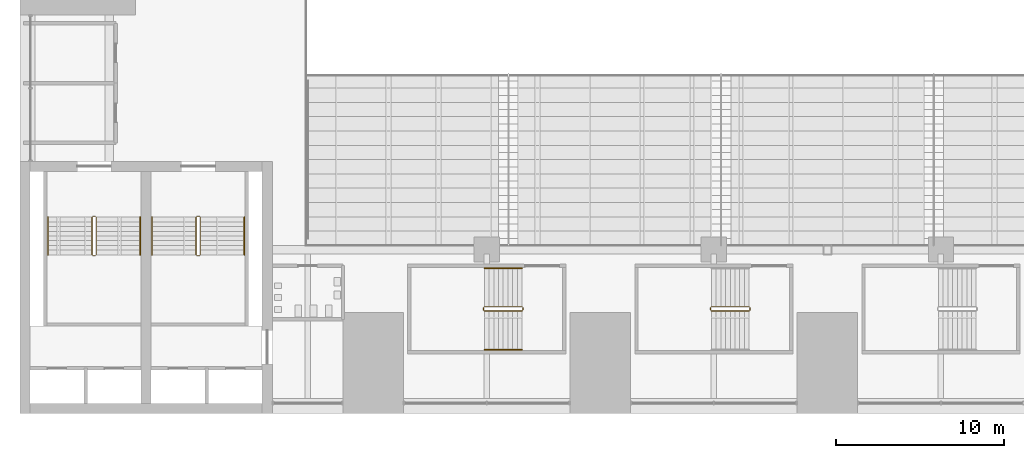
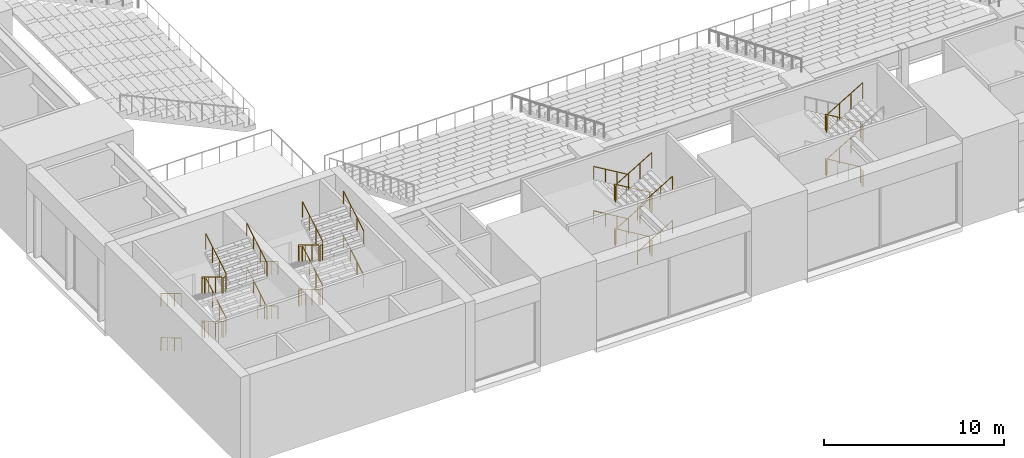
# One storey, part 51 of 61: 7 railings.
"""IFC4 building model written with IfcOpenShell, lengths in metres."""

from ifc_helpers import new_model, si_unit, direction, frame, origin, origin_2d, place, context, subcontext, project, spatial, circle, extrude, material, type_object, element, save


model = new_model("IFC4")

# Units and contexts
model_context = context("Model", 3, precision=1e-05, world=origin(), true_north=direction((0.0, 1.0)))
body_context = subcontext(model_context, "Body", "Model", "MODEL_VIEW")
ifc_project = project(units=[si_unit("LENGTHUNIT", "METRE"), si_unit("AREAUNIT", "SQUARE_METRE"), si_unit("VOLUMEUNIT", "CUBIC_METRE"), si_unit("PLANEANGLEUNIT", "RADIAN"), si_unit("MASSUNIT", "GRAM", prefix="KILO")], contexts=[model_context])

# Site, building, storey
site_placement = place(None, origin())
site = spatial("IfcSite", under=ifc_project, at=site_placement, CompositionType="ELEMENT")
building_placement = place(site_placement, origin())
building = spatial("IfcBuilding", under=site, at=building_placement, Name="Corbelhall Arena Tower", CompositionType="ELEMENT")
storey_placement = place(building_placement, frame((0.0, 0.0, 31.0)))
storey = spatial("IfcBuildingStorey", under=building, at=storey_placement, Name="L04", CompositionType="ELEMENT", Elevation=31.0)

# Railings
ifc_material = material(Name="Stainless steel A4", Category="steel")
railing_type_1 = type_object("IfcRailingType", Name="AR-STAIR-GUARD", PredefinedType="GUARDRAIL", material=ifc_material)
railing_1_placement = place(storey_placement, frame((-18.14990234375, -32.64990234375, 0.166748046875)))
element("IfcRailing", 1, at=railing_1_placement, inside=storey, type_object=railing_type_1, Name="L04 AS13 stair guards", PredefinedType="GUARDRAIL", context=body_context, shape_type="SweptSolid", body=[
    extrude(circle(Radius=0.02392578125, at=origin_2d()), frame((0.0, 0.0, 1.076171875), z_axis=(-0.859305625298, 0.0, 0.511462454469), x_axis=(0.0, -1.0, 0.0)), (0.0, 0.0, 1.0), 2.606689453125),
    extrude(circle(Radius=0.02392578125, at=origin_2d()), frame((-2.2900390625, -0.050048828125, 2.4091796875), z_axis=(0.0, -1.0, 0.0), x_axis=(1.0, 0.0, 0.0)), (0.0, 0.0, 1.0), 0.150146484375),
    extrude(circle(Radius=0.02392578125, at=origin_2d()), frame((-2.239990234375, -0.25, 2.576171875), z_axis=(0.859305625298, 0.0, 0.511462454469), x_axis=(0.0, 1.0, 0.0)), (0.0, 0.0, 1.0), 2.606689453125),
    extrude(circle(Radius=0.02392578125, at=origin_2d()), frame((0.0498046875, -0.050048828125, 3.9091796875), z_axis=(0.0, -1.0, 0.0), x_axis=(1.0, 0.0, 0.0)), (0.0, 0.0, 1.0), 0.150146484375),
    extrude(circle(Radius=0.02392578125, at=origin_2d()), frame((0.0, 0.0, 4.076171875), z_axis=(-0.859305625298, 0.0, 0.511462454469), x_axis=(0.0, -1.0, 0.0)), (0.0, 0.0, 1.0), 2.606689453125),
    extrude(circle(Radius=0.02392578125, at=origin_2d()), frame((-2.2900390625, -0.050048828125, 5.4091796875), z_axis=(0.0, -1.0, 0.0), x_axis=(1.0, 0.0, 0.0)), (0.0, 0.0, 1.0), 0.150146484375),
    extrude(circle(Radius=0.02392578125, at=origin_2d()), frame((-2.239990234375, -0.25, 5.576171875), z_axis=(0.859305625298, 0.0, 0.511462454469), x_axis=(0.0, 1.0, 0.0)), (0.0, 0.0, 1.0), 2.606689453125),
    extrude(circle(Radius=0.02392578125, at=origin_2d()), frame((0.0498046875, -0.050048828125, 0.9091796875), z_axis=(0.0, -1.0, 0.0), x_axis=(1.0, 0.0, 0.0)), (0.0, 0.0, 1.0), 0.150146484375),
    extrude(circle(Radius=0.02099609375, at=origin_2d()), origin(), (0.0, 0.0, 1.0), 1.052001953125),
    extrude(circle(Radius=0.02099609375, at=origin_2d()), frame((-0.74658203125, 0.0, 0.4443359375)), (0.0, 0.0, 1.0), 1.052001953125),
    extrude(circle(Radius=0.02099609375, at=origin_2d()), frame((-1.493408203125, 0.0, 0.888916015625)), (0.0, 0.0, 1.0), 1.052001953125),
    extrude(circle(Radius=0.02099609375, at=origin_2d()), frame((-2.239990234375, 0.0, 1.333251953125)), (0.0, 0.0, 1.0), 1.052001953125),
    extrude(circle(Radius=0.02099609375, at=origin_2d()), frame((-2.2900390625, -0.050048828125, 1.333251953125)), (0.0, 0.0, 1.0), 1.052001953125),
    extrude(circle(Radius=0.02099609375, at=origin_2d()), frame((-2.2900390625, -0.2001953125, 1.333251953125)), (0.0, 0.0, 1.0), 1.052001953125),
    extrude(circle(Radius=0.02099609375, at=origin_2d()), frame((-2.239990234375, -0.25, 1.5)), (0.0, 0.0, 1.0), 1.052001953125),
    extrude(circle(Radius=0.02099609375, at=origin_2d()), frame((-1.493408203125, -0.25, 1.9443359375)), (0.0, 0.0, 1.0), 1.052001953125),
    extrude(circle(Radius=0.02099609375, at=origin_2d()), frame((-0.74658203125, -0.25, 2.388916015625)), (0.0, 0.0, 1.0), 1.052001953125),
    extrude(circle(Radius=0.02099609375, at=origin_2d()), frame((0.0, -0.25, 2.833251953125)), (0.0, 0.0, 1.0), 1.052001953125),
    extrude(circle(Radius=0.02099609375, at=origin_2d()), frame((0.0498046875, -0.050048828125, 2.833251953125)), (0.0, 0.0, 1.0), 1.052001953125),
    extrude(circle(Radius=0.02099609375, at=origin_2d()), frame((0.0498046875, -0.2001953125, 2.833251953125)), (0.0, 0.0, 1.0), 1.052001953125),
    extrude(circle(Radius=0.02099609375, at=origin_2d()), frame((0.0, 0.0, 3.0)), (0.0, 0.0, 1.0), 1.052001953125),
    extrude(circle(Radius=0.02099609375, at=origin_2d()), frame((-0.74658203125, 0.0, 3.4443359375)), (0.0, 0.0, 1.0), 1.052001953125),
    extrude(circle(Radius=0.02099609375, at=origin_2d()), frame((-1.493408203125, 0.0, 3.888916015625)), (0.0, 0.0, 1.0), 1.052001953125),
    extrude(circle(Radius=0.02099609375, at=origin_2d()), frame((-2.239990234375, 0.0, 4.333251953125)), (0.0, 0.0, 1.0), 1.052001953125),
    extrude(circle(Radius=0.02099609375, at=origin_2d()), frame((-2.2900390625, -0.050048828125, 4.333251953125)), (0.0, 0.0, 1.0), 1.052001953125),
    extrude(circle(Radius=0.02099609375, at=origin_2d()), frame((-2.2900390625, -0.2001953125, 4.333251953125)), (0.0, 0.0, 1.0), 1.052001953125),
    extrude(circle(Radius=0.02099609375, at=origin_2d()), frame((-2.239990234375, -0.25, 4.5)), (0.0, 0.0, 1.0), 1.052001953125),
    extrude(circle(Radius=0.02099609375, at=origin_2d()), frame((-1.493408203125, -0.25, 4.9443359375)), (0.0, 0.0, 1.0), 1.052001953125),
    extrude(circle(Radius=0.02099609375, at=origin_2d()), frame((-0.74658203125, -0.25, 5.388916015625)), (0.0, 0.0, 1.0), 1.052001953125),
    extrude(circle(Radius=0.02099609375, at=origin_2d()), frame((0.0, -0.25, 5.833251953125)), (0.0, 0.0, 1.0), 1.052001953125),
    extrude(circle(Radius=0.02099609375, at=origin_2d()), frame((0.0498046875, -0.050048828125, -0.166748046875)), (0.0, 0.0, 1.0), 1.052001953125),
    extrude(circle(Radius=0.02099609375, at=origin_2d()), frame((0.0498046875, -0.2001953125, -0.166748046875)), (0.0, 0.0, 1.0), 1.052001953125),
])
railing_2_placement = place(storey_placement, frame((-4.64990234375, -32.64990234375, 0.166748046875)))
element("IfcRailing", 2, at=railing_2_placement, inside=storey, type_object=railing_type_1, Name="L04 AS14 stair guards", PredefinedType="GUARDRAIL", context=body_context, shape_type="SweptSolid", body=[
    extrude(circle(Radius=0.02392578125, at=origin_2d()), frame((0.0, 0.0, 1.076171875), z_axis=(-0.859305625298, 0.0, 0.511462454469), x_axis=(0.0, -1.0, 0.0)), (0.0, 0.0, 1.0), 2.606689453125),
    extrude(circle(Radius=0.02392578125, at=origin_2d()), frame((-2.2900390625, -0.050048828125, 2.4091796875), z_axis=(0.0, -1.0, 0.0), x_axis=(1.0, 0.0, 0.0)), (0.0, 0.0, 1.0), 0.150146484375),
    extrude(circle(Radius=0.02392578125, at=origin_2d()), frame((-2.239990234375, -0.25, 2.576171875), z_axis=(0.859305625298, 0.0, 0.511462454469), x_axis=(0.0, 1.0, 0.0)), (0.0, 0.0, 1.0), 2.606689453125),
    extrude(circle(Radius=0.02392578125, at=origin_2d()), frame((0.0498046875, -0.050048828125, 3.9091796875), z_axis=(0.0, -1.0, 0.0), x_axis=(1.0, 0.0, 0.0)), (0.0, 0.0, 1.0), 0.150146484375),
    extrude(circle(Radius=0.02392578125, at=origin_2d()), frame((0.0, 0.0, 4.076171875), z_axis=(-0.859305625298, 0.0, 0.511462454469), x_axis=(0.0, -1.0, 0.0)), (0.0, 0.0, 1.0), 2.606689453125),
    extrude(circle(Radius=0.02392578125, at=origin_2d()), frame((-2.2900390625, -0.050048828125, 5.4091796875), z_axis=(0.0, -1.0, 0.0), x_axis=(1.0, 0.0, 0.0)), (0.0, 0.0, 1.0), 0.150146484375),
    extrude(circle(Radius=0.02392578125, at=origin_2d()), frame((-2.239990234375, -0.25, 5.576171875), z_axis=(0.859305625298, 0.0, 0.511462454469), x_axis=(0.0, 1.0, 0.0)), (0.0, 0.0, 1.0), 2.606689453125),
    extrude(circle(Radius=0.02392578125, at=origin_2d()), frame((0.0498046875, -0.050048828125, 0.9091796875), z_axis=(0.0, -1.0, 0.0), x_axis=(1.0, 0.0, 0.0)), (0.0, 0.0, 1.0), 0.150146484375),
    extrude(circle(Radius=0.02099609375, at=origin_2d()), origin(), (0.0, 0.0, 1.0), 1.052001953125),
    extrude(circle(Radius=0.02099609375, at=origin_2d()), frame((-0.74658203125, 0.0, 0.4443359375)), (0.0, 0.0, 1.0), 1.052001953125),
    extrude(circle(Radius=0.02099609375, at=origin_2d()), frame((-1.493408203125, 0.0, 0.888916015625)), (0.0, 0.0, 1.0), 1.052001953125),
    extrude(circle(Radius=0.02099609375, at=origin_2d()), frame((-2.239990234375, 0.0, 1.333251953125)), (0.0, 0.0, 1.0), 1.052001953125),
    extrude(circle(Radius=0.02099609375, at=origin_2d()), frame((-2.2900390625, -0.050048828125, 1.333251953125)), (0.0, 0.0, 1.0), 1.052001953125),
    extrude(circle(Radius=0.02099609375, at=origin_2d()), frame((-2.2900390625, -0.2001953125, 1.333251953125)), (0.0, 0.0, 1.0), 1.052001953125),
    extrude(circle(Radius=0.02099609375, at=origin_2d()), frame((-2.239990234375, -0.25, 1.5)), (0.0, 0.0, 1.0), 1.052001953125),
    extrude(circle(Radius=0.02099609375, at=origin_2d()), frame((-1.493408203125, -0.25, 1.9443359375)), (0.0, 0.0, 1.0), 1.052001953125),
    extrude(circle(Radius=0.02099609375, at=origin_2d()), frame((-0.74658203125, -0.25, 2.388916015625)), (0.0, 0.0, 1.0), 1.052001953125),
    extrude(circle(Radius=0.02099609375, at=origin_2d()), frame((0.0, -0.25, 2.833251953125)), (0.0, 0.0, 1.0), 1.052001953125),
    extrude(circle(Radius=0.02099609375, at=origin_2d()), frame((0.0498046875, -0.050048828125, 2.833251953125)), (0.0, 0.0, 1.0), 1.052001953125),
    extrude(circle(Radius=0.02099609375, at=origin_2d()), frame((0.0498046875, -0.2001953125, 2.833251953125)), (0.0, 0.0, 1.0), 1.052001953125),
    extrude(circle(Radius=0.02099609375, at=origin_2d()), frame((0.0, 0.0, 3.0)), (0.0, 0.0, 1.0), 1.052001953125),
    extrude(circle(Radius=0.02099609375, at=origin_2d()), frame((-0.74658203125, 0.0, 3.4443359375)), (0.0, 0.0, 1.0), 1.052001953125),
    extrude(circle(Radius=0.02099609375, at=origin_2d()), frame((-1.493408203125, 0.0, 3.888916015625)), (0.0, 0.0, 1.0), 1.052001953125),
    extrude(circle(Radius=0.02099609375, at=origin_2d()), frame((-2.239990234375, 0.0, 4.333251953125)), (0.0, 0.0, 1.0), 1.052001953125),
    extrude(circle(Radius=0.02099609375, at=origin_2d()), frame((-2.2900390625, -0.050048828125, 4.333251953125)), (0.0, 0.0, 1.0), 1.052001953125),
    extrude(circle(Radius=0.02099609375, at=origin_2d()), frame((-2.2900390625, -0.2001953125, 4.333251953125)), (0.0, 0.0, 1.0), 1.052001953125),
    extrude(circle(Radius=0.02099609375, at=origin_2d()), frame((-2.239990234375, -0.25, 4.5)), (0.0, 0.0, 1.0), 1.052001953125),
    extrude(circle(Radius=0.02099609375, at=origin_2d()), frame((-1.493408203125, -0.25, 4.9443359375)), (0.0, 0.0, 1.0), 1.052001953125),
    extrude(circle(Radius=0.02099609375, at=origin_2d()), frame((-0.74658203125, -0.25, 5.388916015625)), (0.0, 0.0, 1.0), 1.052001953125),
    extrude(circle(Radius=0.02099609375, at=origin_2d()), frame((0.0, -0.25, 5.833251953125)), (0.0, 0.0, 1.0), 1.052001953125),
    extrude(circle(Radius=0.02099609375, at=origin_2d()), frame((0.0498046875, -0.050048828125, -0.166748046875)), (0.0, 0.0, 1.0), 1.052001953125),
    extrude(circle(Radius=0.02099609375, at=origin_2d()), frame((0.0498046875, -0.2001953125, -0.166748046875)), (0.0, 0.0, 1.0), 1.052001953125),
])
railing_3_placement = place(storey_placement, frame((-37.530029296875, -27.320068359375, 0.166748046875)))
element("IfcRailing", 3, at=railing_3_placement, inside=storey, type_object=railing_type_1, Name="L04 AS7 stair guards", PredefinedType="GUARDRAIL", context=body_context, shape_type="SweptSolid", body=[
    extrude(circle(Radius=0.02392578125, at=origin_2d()), frame((0.0, 0.0, 1.076171875), z_axis=(0.0, -0.859305625298, 0.511462454469), x_axis=(1.0, 0.0, 0.0)), (0.0, 0.0, 1.0), 2.606689453125),
    extrude(circle(Radius=0.02392578125, at=origin_2d()), frame((0.050048828125, -2.2900390625, 2.4091796875), z_axis=(1.0, 0.0, 0.0), x_axis=(0.0, 1.0, 0.0)), (0.0, 0.0, 1.0), 0.14990234375),
    extrude(circle(Radius=0.02392578125, at=origin_2d()), frame((0.25, -2.239990234375, 2.576171875), z_axis=(0.0, 0.859305625298, 0.511462454469), x_axis=(-1.0, 0.0, 0.0)), (0.0, 0.0, 1.0), 2.606689453125),
    extrude(circle(Radius=0.02392578125, at=origin_2d()), frame((0.050048828125, 0.050048828125, 3.9091796875), z_axis=(1.0, 0.0, 0.0), x_axis=(0.0, 1.0, 0.0)), (0.0, 0.0, 1.0), 0.14990234375),
    extrude(circle(Radius=0.02392578125, at=origin_2d()), frame((0.0, 0.0, 4.076171875), z_axis=(0.0, -0.859305625298, 0.511462454469), x_axis=(1.0, 0.0, 0.0)), (0.0, 0.0, 1.0), 2.606689453125),
    extrude(circle(Radius=0.02392578125, at=origin_2d()), frame((0.050048828125, -2.2900390625, 5.4091796875), z_axis=(1.0, 0.0, 0.0), x_axis=(0.0, 1.0, 0.0)), (0.0, 0.0, 1.0), 0.14990234375),
    extrude(circle(Radius=0.02392578125, at=origin_2d()), frame((0.25, -2.239990234375, 5.576171875), z_axis=(0.0, 0.859305625298, 0.511462454469), x_axis=(-1.0, 0.0, 0.0)), (0.0, 0.0, 1.0), 2.606689453125),
    extrude(circle(Radius=0.02392578125, at=origin_2d()), frame((0.050048828125, 0.050048828125, 0.9091796875), z_axis=(1.0, 0.0, 0.0), x_axis=(0.0, 1.0, 0.0)), (0.0, 0.0, 1.0), 0.14990234375),
    extrude(circle(Radius=0.02099609375, at=origin_2d()), origin(), (0.0, 0.0, 1.0), 1.052001953125),
    extrude(circle(Radius=0.02099609375, at=origin_2d()), frame((0.0, -0.74658203125, 0.4443359375)), (0.0, 0.0, 1.0), 1.052001953125),
    extrude(circle(Radius=0.02099609375, at=origin_2d()), frame((0.0, -1.493408203125, 0.888916015625)), (0.0, 0.0, 1.0), 1.052001953125),
    extrude(circle(Radius=0.02099609375, at=origin_2d()), frame((0.0, -2.239990234375, 1.333251953125)), (0.0, 0.0, 1.0), 1.052001953125),
    extrude(circle(Radius=0.02099609375, at=origin_2d()), frame((0.050048828125, -2.2900390625, 1.333251953125)), (0.0, 0.0, 1.0), 1.052001953125),
    extrude(circle(Radius=0.02099609375, at=origin_2d()), frame((0.199951171875, -2.2900390625, 1.333251953125)), (0.0, 0.0, 1.0), 1.052001953125),
    extrude(circle(Radius=0.02099609375, at=origin_2d()), frame((0.25, -2.239990234375, 1.5)), (0.0, 0.0, 1.0), 1.052001953125),
    extrude(circle(Radius=0.02099609375, at=origin_2d()), frame((0.25, -1.493408203125, 1.9443359375)), (0.0, 0.0, 1.0), 1.052001953125),
    extrude(circle(Radius=0.02099609375, at=origin_2d()), frame((0.25, -0.74658203125, 2.388916015625)), (0.0, 0.0, 1.0), 1.052001953125),
    extrude(circle(Radius=0.02099609375, at=origin_2d()), frame((0.25, 0.0, 2.833251953125)), (0.0, 0.0, 1.0), 1.052001953125),
    extrude(circle(Radius=0.02099609375, at=origin_2d()), frame((0.050048828125, 0.050048828125, 2.833251953125)), (0.0, 0.0, 1.0), 1.052001953125),
    extrude(circle(Radius=0.02099609375, at=origin_2d()), frame((0.199951171875, 0.050048828125, 2.833251953125)), (0.0, 0.0, 1.0), 1.052001953125),
    extrude(circle(Radius=0.02099609375, at=origin_2d()), frame((0.0, 0.0, 3.0)), (0.0, 0.0, 1.0), 1.052001953125),
    extrude(circle(Radius=0.02099609375, at=origin_2d()), frame((0.0, -0.74658203125, 3.4443359375)), (0.0, 0.0, 1.0), 1.052001953125),
    extrude(circle(Radius=0.02099609375, at=origin_2d()), frame((0.0, -1.493408203125, 3.888916015625)), (0.0, 0.0, 1.0), 1.052001953125),
    extrude(circle(Radius=0.02099609375, at=origin_2d()), frame((0.0, -2.239990234375, 4.333251953125)), (0.0, 0.0, 1.0), 1.052001953125),
    extrude(circle(Radius=0.02099609375, at=origin_2d()), frame((0.050048828125, -2.2900390625, 4.333251953125)), (0.0, 0.0, 1.0), 1.052001953125),
    extrude(circle(Radius=0.02099609375, at=origin_2d()), frame((0.199951171875, -2.2900390625, 4.333251953125)), (0.0, 0.0, 1.0), 1.052001953125),
    extrude(circle(Radius=0.02099609375, at=origin_2d()), frame((0.25, -2.239990234375, 4.5)), (0.0, 0.0, 1.0), 1.052001953125),
    extrude(circle(Radius=0.02099609375, at=origin_2d()), frame((0.25, -1.493408203125, 4.9443359375)), (0.0, 0.0, 1.0), 1.052001953125),
    extrude(circle(Radius=0.02099609375, at=origin_2d()), frame((0.25, -0.74658203125, 5.388916015625)), (0.0, 0.0, 1.0), 1.052001953125),
    extrude(circle(Radius=0.02099609375, at=origin_2d()), frame((0.25, 0.0, 5.833251953125)), (0.0, 0.0, 1.0), 1.052001953125),
    extrude(circle(Radius=0.02099609375, at=origin_2d()), frame((0.050048828125, 0.050048828125, -0.166748046875)), (0.0, 0.0, 1.0), 1.052001953125),
    extrude(circle(Radius=0.02099609375, at=origin_2d()), frame((0.199951171875, 0.050048828125, -0.166748046875)), (0.0, 0.0, 1.0), 1.052001953125),
])
railing_4_placement = place(storey_placement, frame((-43.719970703125, -27.320068359375, 0.166748046875)))
element("IfcRailing", 4, at=railing_4_placement, inside=storey, type_object=railing_type_1, Name="L04 AS8 stair guards", PredefinedType="GUARDRAIL", context=body_context, shape_type="SweptSolid", body=[
    extrude(circle(Radius=0.02392578125, at=origin_2d()), frame((0.0, 0.0, 1.076171875), z_axis=(0.0, -0.859305625298, 0.511462454469), x_axis=(1.0, 0.0, 0.0)), (0.0, 0.0, 1.0), 2.606689453125),
    extrude(circle(Radius=0.02392578125, at=origin_2d()), frame((0.050048828125, -2.2900390625, 2.4091796875), z_axis=(1.0, 0.0, 0.0), x_axis=(0.0, 1.0, 0.0)), (0.0, 0.0, 1.0), 0.14990234375),
    extrude(circle(Radius=0.02392578125, at=origin_2d()), frame((0.25, -2.239990234375, 2.576171875), z_axis=(0.0, 0.859305625298, 0.511462454469), x_axis=(-1.0, 0.0, 0.0)), (0.0, 0.0, 1.0), 2.606689453125),
    extrude(circle(Radius=0.02392578125, at=origin_2d()), frame((0.050048828125, 0.050048828125, 3.9091796875), z_axis=(1.0, 0.0, 0.0), x_axis=(0.0, 1.0, 0.0)), (0.0, 0.0, 1.0), 0.14990234375),
    extrude(circle(Radius=0.02392578125, at=origin_2d()), frame((0.0, 0.0, 4.076171875), z_axis=(0.0, -0.859305625298, 0.511462454469), x_axis=(1.0, 0.0, 0.0)), (0.0, 0.0, 1.0), 2.606689453125),
    extrude(circle(Radius=0.02392578125, at=origin_2d()), frame((0.050048828125, -2.2900390625, 5.4091796875), z_axis=(1.0, 0.0, 0.0), x_axis=(0.0, 1.0, 0.0)), (0.0, 0.0, 1.0), 0.14990234375),
    extrude(circle(Radius=0.02392578125, at=origin_2d()), frame((0.25, -2.239990234375, 5.576171875), z_axis=(0.0, 0.859305625298, 0.511462454469), x_axis=(-1.0, 0.0, 0.0)), (0.0, 0.0, 1.0), 2.606689453125),
    extrude(circle(Radius=0.02392578125, at=origin_2d()), frame((0.050048828125, 0.050048828125, 0.9091796875), z_axis=(1.0, 0.0, 0.0), x_axis=(0.0, 1.0, 0.0)), (0.0, 0.0, 1.0), 0.14990234375),
    extrude(circle(Radius=0.02099609375, at=origin_2d()), origin(), (0.0, 0.0, 1.0), 1.052001953125),
    extrude(circle(Radius=0.02099609375, at=origin_2d()), frame((0.0, -0.74658203125, 0.4443359375)), (0.0, 0.0, 1.0), 1.052001953125),
    extrude(circle(Radius=0.02099609375, at=origin_2d()), frame((0.0, -1.493408203125, 0.888916015625)), (0.0, 0.0, 1.0), 1.052001953125),
    extrude(circle(Radius=0.02099609375, at=origin_2d()), frame((0.0, -2.239990234375, 1.333251953125)), (0.0, 0.0, 1.0), 1.052001953125),
    extrude(circle(Radius=0.02099609375, at=origin_2d()), frame((0.050048828125, -2.2900390625, 1.333251953125)), (0.0, 0.0, 1.0), 1.052001953125),
    extrude(circle(Radius=0.02099609375, at=origin_2d()), frame((0.199951171875, -2.2900390625, 1.333251953125)), (0.0, 0.0, 1.0), 1.052001953125),
    extrude(circle(Radius=0.02099609375, at=origin_2d()), frame((0.25, -2.239990234375, 1.5)), (0.0, 0.0, 1.0), 1.052001953125),
    extrude(circle(Radius=0.02099609375, at=origin_2d()), frame((0.25, -1.493408203125, 1.9443359375)), (0.0, 0.0, 1.0), 1.052001953125),
    extrude(circle(Radius=0.02099609375, at=origin_2d()), frame((0.25, -0.74658203125, 2.388916015625)), (0.0, 0.0, 1.0), 1.052001953125),
    extrude(circle(Radius=0.02099609375, at=origin_2d()), frame((0.25, 0.0, 2.833251953125)), (0.0, 0.0, 1.0), 1.052001953125),
    extrude(circle(Radius=0.02099609375, at=origin_2d()), frame((0.050048828125, 0.050048828125, 2.833251953125)), (0.0, 0.0, 1.0), 1.052001953125),
    extrude(circle(Radius=0.02099609375, at=origin_2d()), frame((0.199951171875, 0.050048828125, 2.833251953125)), (0.0, 0.0, 1.0), 1.052001953125),
    extrude(circle(Radius=0.02099609375, at=origin_2d()), frame((0.0, 0.0, 3.0)), (0.0, 0.0, 1.0), 1.052001953125),
    extrude(circle(Radius=0.02099609375, at=origin_2d()), frame((0.0, -0.74658203125, 3.4443359375)), (0.0, 0.0, 1.0), 1.052001953125),
    extrude(circle(Radius=0.02099609375, at=origin_2d()), frame((0.0, -1.493408203125, 3.888916015625)), (0.0, 0.0, 1.0), 1.052001953125),
    extrude(circle(Radius=0.02099609375, at=origin_2d()), frame((0.0, -2.239990234375, 4.333251953125)), (0.0, 0.0, 1.0), 1.052001953125),
    extrude(circle(Radius=0.02099609375, at=origin_2d()), frame((0.050048828125, -2.2900390625, 4.333251953125)), (0.0, 0.0, 1.0), 1.052001953125),
    extrude(circle(Radius=0.02099609375, at=origin_2d()), frame((0.199951171875, -2.2900390625, 4.333251953125)), (0.0, 0.0, 1.0), 1.052001953125),
    extrude(circle(Radius=0.02099609375, at=origin_2d()), frame((0.25, -2.239990234375, 4.5)), (0.0, 0.0, 1.0), 1.052001953125),
    extrude(circle(Radius=0.02099609375, at=origin_2d()), frame((0.25, -1.493408203125, 4.9443359375)), (0.0, 0.0, 1.0), 1.052001953125),
    extrude(circle(Radius=0.02099609375, at=origin_2d()), frame((0.25, -0.74658203125, 5.388916015625)), (0.0, 0.0, 1.0), 1.052001953125),
    extrude(circle(Radius=0.02099609375, at=origin_2d()), frame((0.25, 0.0, 5.833251953125)), (0.0, 0.0, 1.0), 1.052001953125),
    extrude(circle(Radius=0.02099609375, at=origin_2d()), frame((0.050048828125, 0.050048828125, -0.166748046875)), (0.0, 0.0, 1.0), 1.052001953125),
    extrude(circle(Radius=0.02099609375, at=origin_2d()), frame((0.199951171875, 0.050048828125, -0.166748046875)), (0.0, 0.0, 1.0), 1.052001953125),
])
railing_type_2 = type_object("IfcRailingType", Name="AR-STAIR-HANDRAIL", PredefinedType="HANDRAIL", material=ifc_material)
railing_5_placement = place(storey_placement, frame((-18.14990234375, -30.35009765625, 0.166748046875)))
element("IfcRailing", 5, at=railing_5_placement, inside=storey, type_object=railing_type_2, Name="L04 AS13 stair handrails", PredefinedType="HANDRAIL", context=body_context, shape_type="SweptSolid", body=[
    extrude(circle(Radius=0.02392578125, at=origin_2d()), frame((0.0, 0.0, 0.8759765625), z_axis=(-0.859305625298, 0.0, 0.511462454469), x_axis=(0.0, -1.0, 0.0)), (0.0, 0.0, 1.0), 2.606689453125),
    extrude(circle(Radius=0.02392578125, at=origin_2d()), frame((-2.239990234375, -4.849853515625, 2.3759765625), z_axis=(0.859305625298, 0.0, 0.511462454469), x_axis=(0.0, 1.0, 0.0)), (0.0, 0.0, 1.0), 2.606689453125),
    extrude(circle(Radius=0.02392578125, at=origin_2d()), frame((0.0, 0.0, 3.8759765625), z_axis=(-0.859305625298, 0.0, 0.511462454469), x_axis=(0.0, -1.0, 0.0)), (0.0, 0.0, 1.0), 2.606689453125),
    extrude(circle(Radius=0.02392578125, at=origin_2d()), frame((-2.239990234375, -4.849853515625, 5.3759765625), z_axis=(0.859305625298, 0.0, 0.511462454469), x_axis=(0.0, 1.0, 0.0)), (0.0, 0.0, 1.0), 2.606689453125),
    extrude(circle(Radius=0.02099609375, at=origin_2d()), origin(), (0.0, 0.0, 1.0), 0.851806640625),
    extrude(circle(Radius=0.02099609375, at=origin_2d()), frame((-0.74658203125, 0.0, 0.4443359375)), (0.0, 0.0, 1.0), 0.851806640625),
    extrude(circle(Radius=0.02099609375, at=origin_2d()), frame((-1.493408203125, 0.0, 0.888916015625)), (0.0, 0.0, 1.0), 0.851806640625),
    extrude(circle(Radius=0.02099609375, at=origin_2d()), frame((-2.239990234375, 0.0, 1.333251953125)), (0.0, 0.0, 1.0), 0.851806640625),
    extrude(circle(Radius=0.02099609375, at=origin_2d()), frame((-2.239990234375, -4.849853515625, 1.5)), (0.0, 0.0, 1.0), 0.851806640625),
    extrude(circle(Radius=0.02099609375, at=origin_2d()), frame((-1.493408203125, -4.849853515625, 1.9443359375)), (0.0, 0.0, 1.0), 0.851806640625),
    extrude(circle(Radius=0.02099609375, at=origin_2d()), frame((-0.74658203125, -4.849853515625, 2.388916015625)), (0.0, 0.0, 1.0), 0.851806640625),
    extrude(circle(Radius=0.02099609375, at=origin_2d()), frame((0.0, -4.849853515625, 2.833251953125)), (0.0, 0.0, 1.0), 0.851806640625),
    extrude(circle(Radius=0.02099609375, at=origin_2d()), frame((0.0, 0.0, 3.0)), (0.0, 0.0, 1.0), 0.851806640625),
    extrude(circle(Radius=0.02099609375, at=origin_2d()), frame((-0.74658203125, 0.0, 3.4443359375)), (0.0, 0.0, 1.0), 0.851806640625),
    extrude(circle(Radius=0.02099609375, at=origin_2d()), frame((-1.493408203125, 0.0, 3.888916015625)), (0.0, 0.0, 1.0), 0.851806640625),
    extrude(circle(Radius=0.02099609375, at=origin_2d()), frame((-2.239990234375, 0.0, 4.333251953125)), (0.0, 0.0, 1.0), 0.851806640625),
    extrude(circle(Radius=0.02099609375, at=origin_2d()), frame((-2.239990234375, -4.849853515625, 4.5)), (0.0, 0.0, 1.0), 0.851806640625),
    extrude(circle(Radius=0.02099609375, at=origin_2d()), frame((-1.493408203125, -4.849853515625, 4.9443359375)), (0.0, 0.0, 1.0), 0.851806640625),
    extrude(circle(Radius=0.02099609375, at=origin_2d()), frame((-0.74658203125, -4.849853515625, 5.388916015625)), (0.0, 0.0, 1.0), 0.851806640625),
    extrude(circle(Radius=0.02099609375, at=origin_2d()), frame((0.0, -4.849853515625, 5.833251953125)), (0.0, 0.0, 1.0), 0.851806640625),
])
railing_6_placement = place(storey_placement, frame((-40.14990234375, -27.320068359375, 0.166748046875)))
element("IfcRailing", 6, at=railing_6_placement, inside=storey, type_object=railing_type_2, Name="L04 AS7 stair handrails", PredefinedType="HANDRAIL", context=body_context, shape_type="SweptSolid", body=[
    extrude(circle(Radius=0.02392578125, at=origin_2d()), frame((0.0, 0.0, 0.8759765625), z_axis=(0.0, -0.859305625298, 0.511462454469), x_axis=(1.0, 0.0, 0.0)), (0.0, 0.0, 1.0), 2.606689453125),
    extrude(circle(Radius=0.02392578125, at=origin_2d()), frame((5.489990234375, -2.239990234375, 2.3759765625), z_axis=(0.0, 0.859305625298, 0.511462454469), x_axis=(-1.0, 0.0, 0.0)), (0.0, 0.0, 1.0), 2.606689453125),
    extrude(circle(Radius=0.02392578125, at=origin_2d()), frame((0.0, 0.0, 3.8759765625), z_axis=(0.0, -0.859305625298, 0.511462454469), x_axis=(1.0, 0.0, 0.0)), (0.0, 0.0, 1.0), 2.606689453125),
    extrude(circle(Radius=0.02392578125, at=origin_2d()), frame((5.489990234375, -2.239990234375, 5.3759765625), z_axis=(0.0, 0.859305625298, 0.511462454469), x_axis=(-1.0, 0.0, 0.0)), (0.0, 0.0, 1.0), 2.606689453125),
    extrude(circle(Radius=0.02099609375, at=origin_2d()), origin(), (0.0, 0.0, 1.0), 0.851806640625),
    extrude(circle(Radius=0.02099609375, at=origin_2d()), frame((0.0, -0.74658203125, 0.4443359375)), (0.0, 0.0, 1.0), 0.851806640625),
    extrude(circle(Radius=0.02099609375, at=origin_2d()), frame((0.0, -1.493408203125, 0.888916015625)), (0.0, 0.0, 1.0), 0.851806640625),
    extrude(circle(Radius=0.02099609375, at=origin_2d()), frame((0.0, -2.239990234375, 1.333251953125)), (0.0, 0.0, 1.0), 0.851806640625),
    extrude(circle(Radius=0.02099609375, at=origin_2d()), frame((5.489990234375, -2.239990234375, 1.5)), (0.0, 0.0, 1.0), 0.851806640625),
    extrude(circle(Radius=0.02099609375, at=origin_2d()), frame((5.489990234375, -1.493408203125, 1.9443359375)), (0.0, 0.0, 1.0), 0.851806640625),
    extrude(circle(Radius=0.02099609375, at=origin_2d()), frame((5.489990234375, -0.74658203125, 2.388916015625)), (0.0, 0.0, 1.0), 0.851806640625),
    extrude(circle(Radius=0.02099609375, at=origin_2d()), frame((5.489990234375, 0.0, 2.833251953125)), (0.0, 0.0, 1.0), 0.851806640625),
    extrude(circle(Radius=0.02099609375, at=origin_2d()), frame((0.0, 0.0, 3.0)), (0.0, 0.0, 1.0), 0.851806640625),
    extrude(circle(Radius=0.02099609375, at=origin_2d()), frame((0.0, -0.74658203125, 3.4443359375)), (0.0, 0.0, 1.0), 0.851806640625),
    extrude(circle(Radius=0.02099609375, at=origin_2d()), frame((0.0, -1.493408203125, 3.888916015625)), (0.0, 0.0, 1.0), 0.851806640625),
    extrude(circle(Radius=0.02099609375, at=origin_2d()), frame((0.0, -2.239990234375, 4.333251953125)), (0.0, 0.0, 1.0), 0.851806640625),
    extrude(circle(Radius=0.02099609375, at=origin_2d()), frame((5.489990234375, -2.239990234375, 4.5)), (0.0, 0.0, 1.0), 0.851806640625),
    extrude(circle(Radius=0.02099609375, at=origin_2d()), frame((5.489990234375, -1.493408203125, 4.9443359375)), (0.0, 0.0, 1.0), 0.851806640625),
    extrude(circle(Radius=0.02099609375, at=origin_2d()), frame((5.489990234375, -0.74658203125, 5.388916015625)), (0.0, 0.0, 1.0), 0.851806640625),
    extrude(circle(Radius=0.02099609375, at=origin_2d()), frame((5.489990234375, 0.0, 5.833251953125)), (0.0, 0.0, 1.0), 0.851806640625),
])
railing_7_placement = place(storey_placement, frame((-46.340087890625, -27.320068359375, 0.166748046875)))
element("IfcRailing", 7, at=railing_7_placement, inside=storey, type_object=railing_type_2, Name="L04 AS8 stair handrails", PredefinedType="HANDRAIL", context=body_context, shape_type="SweptSolid", body=[
    extrude(circle(Radius=0.02392578125, at=origin_2d()), frame((0.0, 0.0, 0.8759765625), z_axis=(0.0, -0.859305625298, 0.511462454469), x_axis=(1.0, 0.0, 0.0)), (0.0, 0.0, 1.0), 2.606689453125),
    extrude(circle(Radius=0.02392578125, at=origin_2d()), frame((5.489990234375, -2.239990234375, 2.3759765625), z_axis=(0.0, 0.859305625298, 0.511462454469), x_axis=(-1.0, 0.0, 0.0)), (0.0, 0.0, 1.0), 2.606689453125),
    extrude(circle(Radius=0.02392578125, at=origin_2d()), frame((0.0, 0.0, 3.8759765625), z_axis=(0.0, -0.859305625298, 0.511462454469), x_axis=(1.0, 0.0, 0.0)), (0.0, 0.0, 1.0), 2.606689453125),
    extrude(circle(Radius=0.02392578125, at=origin_2d()), frame((5.489990234375, -2.239990234375, 5.3759765625), z_axis=(0.0, 0.859305625298, 0.511462454469), x_axis=(-1.0, 0.0, 0.0)), (0.0, 0.0, 1.0), 2.606689453125),
    extrude(circle(Radius=0.02099609375, at=origin_2d()), origin(), (0.0, 0.0, 1.0), 0.851806640625),
    extrude(circle(Radius=0.02099609375, at=origin_2d()), frame((0.0, -0.74658203125, 0.4443359375)), (0.0, 0.0, 1.0), 0.851806640625),
    extrude(circle(Radius=0.02099609375, at=origin_2d()), frame((0.0, -1.493408203125, 0.888916015625)), (0.0, 0.0, 1.0), 0.851806640625),
    extrude(circle(Radius=0.02099609375, at=origin_2d()), frame((0.0, -2.239990234375, 1.333251953125)), (0.0, 0.0, 1.0), 0.851806640625),
    extrude(circle(Radius=0.02099609375, at=origin_2d()), frame((5.489990234375, -2.239990234375, 1.5)), (0.0, 0.0, 1.0), 0.851806640625),
    extrude(circle(Radius=0.02099609375, at=origin_2d()), frame((5.489990234375, -1.493408203125, 1.9443359375)), (0.0, 0.0, 1.0), 0.851806640625),
    extrude(circle(Radius=0.02099609375, at=origin_2d()), frame((5.489990234375, -0.74658203125, 2.388916015625)), (0.0, 0.0, 1.0), 0.851806640625),
    extrude(circle(Radius=0.02099609375, at=origin_2d()), frame((5.489990234375, 0.0, 2.833251953125)), (0.0, 0.0, 1.0), 0.851806640625),
    extrude(circle(Radius=0.02099609375, at=origin_2d()), frame((0.0, 0.0, 3.0)), (0.0, 0.0, 1.0), 0.851806640625),
    extrude(circle(Radius=0.02099609375, at=origin_2d()), frame((0.0, -0.74658203125, 3.4443359375)), (0.0, 0.0, 1.0), 0.851806640625),
    extrude(circle(Radius=0.02099609375, at=origin_2d()), frame((0.0, -1.493408203125, 3.888916015625)), (0.0, 0.0, 1.0), 0.851806640625),
    extrude(circle(Radius=0.02099609375, at=origin_2d()), frame((0.0, -2.239990234375, 4.333251953125)), (0.0, 0.0, 1.0), 0.851806640625),
    extrude(circle(Radius=0.02099609375, at=origin_2d()), frame((5.489990234375, -2.239990234375, 4.5)), (0.0, 0.0, 1.0), 0.851806640625),
    extrude(circle(Radius=0.02099609375, at=origin_2d()), frame((5.489990234375, -1.493408203125, 4.9443359375)), (0.0, 0.0, 1.0), 0.851806640625),
    extrude(circle(Radius=0.02099609375, at=origin_2d()), frame((5.489990234375, -0.74658203125, 5.388916015625)), (0.0, 0.0, 1.0), 0.851806640625),
    extrude(circle(Radius=0.02099609375, at=origin_2d()), frame((5.489990234375, 0.0, 5.833251953125)), (0.0, 0.0, 1.0), 0.851806640625),
])

save(model, "model.ifc")
